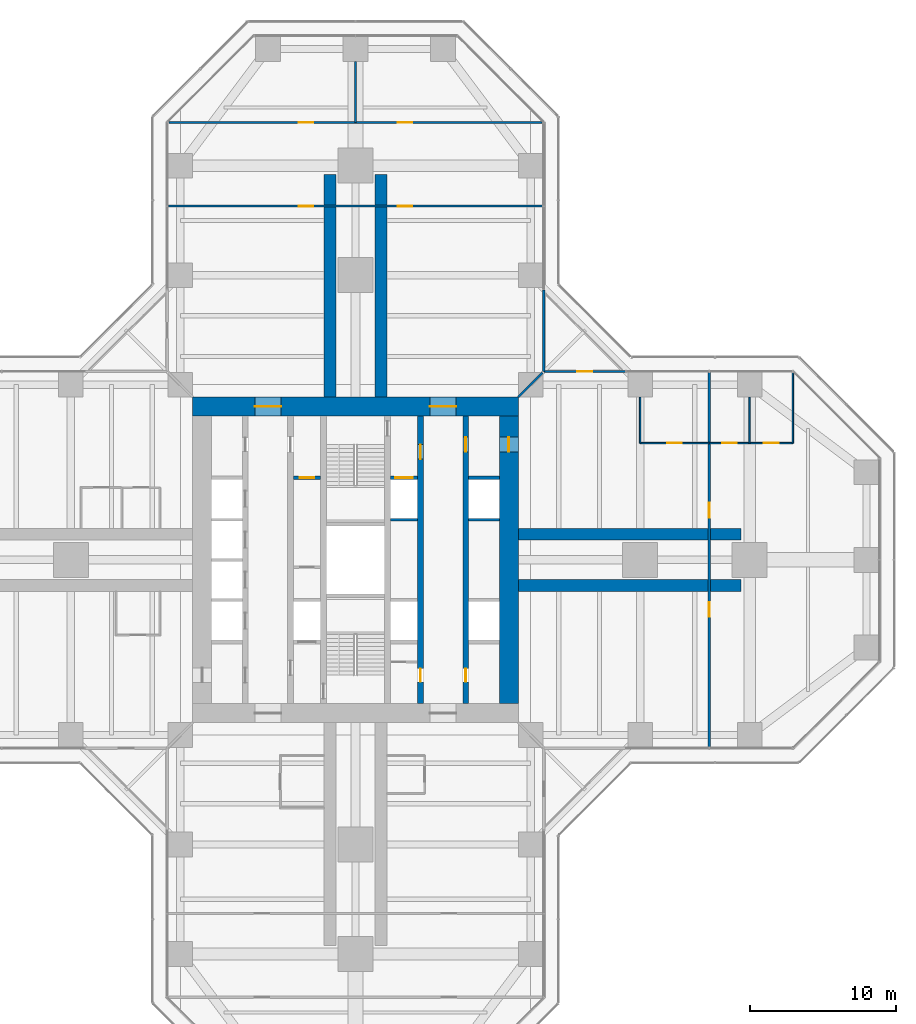
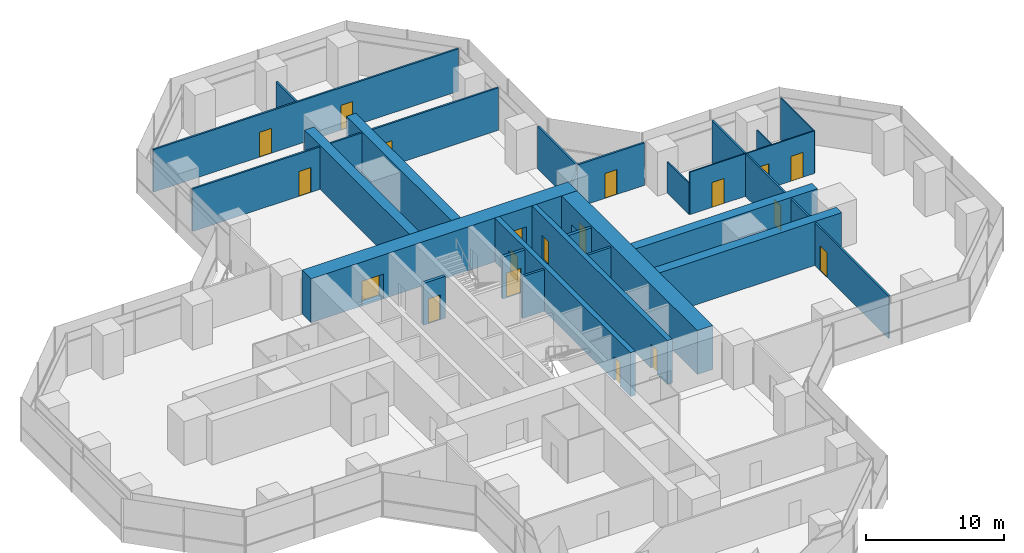
# One storey, part 19 of 22: 25 walls, 19 doors, 19 openings.
"""IFC4 building model written with IfcOpenShell, lengths in metres."""

from ifc_helpers import new_model, si_unit, direction, frame, frame_2d, origin, place, context, subcontext, project, spatial, rectangle, extrude, material, layer, layer_set, type_object, element, fill, save


model = new_model("IFC4")

# Units and contexts
model_context = context("Model", 3, precision=1e-05, world=origin(), true_north=direction((0.0, 1.0)))
body_context = subcontext(model_context, "Body", "Model", "MODEL_VIEW")
ifc_project = project(units=[si_unit("LENGTHUNIT", "METRE"), si_unit("AREAUNIT", "SQUARE_METRE"), si_unit("VOLUMEUNIT", "CUBIC_METRE"), si_unit("PLANEANGLEUNIT", "RADIAN"), si_unit("MASSUNIT", "GRAM", prefix="KILO")], contexts=[model_context])

# Site, building, storey
site_placement = place(None, origin())
site = spatial("IfcSite", under=ifc_project, at=site_placement, CompositionType="ELEMENT")
building_placement = place(site_placement, origin())
building = spatial("IfcBuilding", under=site, at=building_placement, Name="Mizan Broadcast Tower", CompositionType="ELEMENT")
storey_placement = place(building_placement, frame((0.0, 0.0, 94.199951171875)))
storey = spatial("IfcBuildingStorey", under=building, at=storey_placement, Name="L20", CompositionType="ELEMENT", Elevation=94.199951171875)

# Wall, openings, doors
ifc_material_1 = material(Name="Concrete C70/85", Category="concrete")
ifc_layer_1 = layer(ifc_material_1, 0.39990234375)
ifc_layer_set_1 = layer_set([ifc_layer_1], Name="Concrete C70/85")
wall_type_1 = type_object("IfcWallType", Name="CORE INTERNAL WALL 400", PredefinedType="SHEAR", material=ifc_layer_set_1)
wall_1_placement = place(storey_placement, frame((7.550048828125, 9.85009765625, 0.0), z_axis=(0.0, 0.0, 1.0), x_axis=(0.0, -1.0, 0.0)))
wall_1 = element("IfcWall", 1, at=wall_1_placement, inside=storey, type_object=wall_type_1, Name="Core wall CORE/XW1E", PredefinedType="SHEAR", context=body_context, shape_type="SweptSolid", body=[
    extrude(rectangle(XDim=19.7001953125, YDim=0.39990234375, at=frame_2d((9.85009765625, 0.0))), origin(), (0.0, 0.0, 1.0), 3.900146484375),
])
opening_1_placement = place(wall_1_placement, frame((1.449951171875, 0.0, 0.0)))
opening_1 = element("IfcOpeningElement", 2, at=opening_1_placement, cuts=wall_1, Name="Opening D10F", PredefinedType="OPENING", context=body_context, shape_type="SweptSolid", body=[
    extrude(rectangle(XDim=1.0, YDim=2.199951171875, at=frame_2d((0.5, 1.10009765625))), frame((0.0, 0.2099609375, 0.0), z_axis=(0.0, -1.0, 0.0), x_axis=(1.0, 0.0, 0.0)), (0.0, 0.0, 1.0), 0.419921875),
])
opening_2_placement = place(wall_1_placement, frame((17.300048828125, 0.0, 0.0)))
opening_2 = element("IfcOpeningElement", 3, at=opening_2_placement, cuts=wall_1, Name="Opening D09", PredefinedType="OPENING", context=body_context, shape_type="SweptSolid", body=[
    extrude(rectangle(XDim=0.89990234375, YDim=2.10009765625, at=frame_2d((0.449951171875, 1.050048828125))), frame((0.0, 0.2099609375, 0.0), z_axis=(0.0, -1.0, 0.0), x_axis=(1.0, 0.0, 0.0)), (0.0, 0.0, 1.0), 0.419921875),
])
ifc_material_2 = material(Name="Steel door leaf in steel frame", Category="steel")
door_type_1 = type_object("IfcDoorType", Name="FIRE DOOR 1000 FD90", OperationType="SINGLE_SWING_LEFT", PredefinedType="DOOR", material=ifc_material_2)
door_1_placement = place(opening_1_placement, origin())
door_1 = element("IfcDoor", 4, at=door_1_placement, inside=storey, type_object=door_type_1, Name="East core passage door", OperationType="SINGLE_SWING_LEFT", OverallHeight=2.199951171875, OverallWidth=1.0, PredefinedType="DOOR", context=body_context, shape_type="SweptSolid", body=[
    extrude(rectangle(XDim=1.0, YDim=2.199951171875, at=frame_2d((0.5, 1.10009765625))), frame((0.0, 0.02490234375, 0.0), z_axis=(0.0, -1.0, 0.0), x_axis=(1.0, 0.0, 0.0)), (0.0, 0.0, 1.0), 0.050048828125),
])
fill(opening_1, door_1)
ifc_material_3 = material(Name="Timber door leaf in aluminium frame", Category="wood")
door_type_2 = type_object("IfcDoorType", Name="TOILET DOOR 900", OperationType="SINGLE_SWING_LEFT", PredefinedType="DOOR", material=ifc_material_3)
door_2_placement = place(opening_2_placement, origin())
door_2 = element("IfcDoor", 5, at=door_2_placement, inside=storey, type_object=door_type_2, Name="Female WC door", OperationType="SINGLE_SWING_RIGHT", OverallHeight=2.10009765625, OverallWidth=0.89990234375, PredefinedType="DOOR", context=body_context, shape_type="SweptSolid", body=[
    extrude(rectangle(XDim=0.89990234375, YDim=2.10009765625, at=frame_2d((0.449951171875, 1.050048828125))), frame((0.0, 0.02490234375, 0.0), z_axis=(0.0, -1.0, 0.0), x_axis=(1.0, 0.0, 0.0)), (0.0, 0.0, 1.0), 0.050048828125),
])
fill(opening_2, door_2)

wall_2_placement = place(storey_placement, frame((4.449951171875, 9.85009765625, 0.0), z_axis=(0.0, 0.0, 1.0), x_axis=(0.0, -1.0, 0.0)))
wall_2 = element("IfcWall", 6, at=wall_2_placement, inside=storey, type_object=wall_type_1, Name="Core wall CORE/XWHE", PredefinedType="SHEAR", context=body_context, shape_type="SweptSolid", body=[
    extrude(rectangle(XDim=19.7001953125, YDim=0.39990234375, at=frame_2d((9.85009765625, 0.0))), origin(), (0.0, 0.0, 1.0), 3.900146484375),
])
opening_3_placement = place(wall_2_placement, frame((1.949951171875, 0.0, 0.0)))
opening_3 = element("IfcOpeningElement", 7, at=opening_3_placement, cuts=wall_2, Name="Opening D10F", PredefinedType="OPENING", context=body_context, shape_type="SweptSolid", body=[
    extrude(rectangle(XDim=1.0, YDim=2.199951171875, at=frame_2d((0.5, 1.10009765625))), frame((0.0, 0.2099609375, 0.0), z_axis=(0.0, -1.0, 0.0), x_axis=(1.0, 0.0, 0.0)), (0.0, 0.0, 1.0), 0.419921875),
])
opening_4_placement = place(wall_2_placement, frame((17.300048828125, 0.0, 0.0)))
opening_4 = element("IfcOpeningElement", 8, at=opening_4_placement, cuts=wall_2, Name="Opening D09", PredefinedType="OPENING", context=body_context, shape_type="SweptSolid", body=[
    extrude(rectangle(XDim=0.89990234375, YDim=2.10009765625, at=frame_2d((0.449951171875, 1.050048828125))), frame((0.0, 0.2099609375, 0.0), z_axis=(0.0, -1.0, 0.0), x_axis=(1.0, 0.0, 0.0)), (0.0, 0.0, 1.0), 0.419921875),
])
door_3_placement = place(opening_3_placement, origin())
door_3 = element("IfcDoor", 9, at=door_3_placement, inside=storey, type_object=door_type_1, Name="Firefighting lobby B door", OperationType="SINGLE_SWING_LEFT", OverallHeight=2.199951171875, OverallWidth=1.0, PredefinedType="DOOR", context=body_context, shape_type="SweptSolid", body=[
    extrude(rectangle(XDim=1.0, YDim=2.199951171875, at=frame_2d((0.5, 1.10009765625))), frame((0.0, 0.02490234375, 0.0), z_axis=(0.0, -1.0, 0.0), x_axis=(1.0, 0.0, 0.0)), (0.0, 0.0, 1.0), 0.050048828125),
])
fill(opening_3, door_3)
door_4_placement = place(opening_4_placement, origin())
door_4 = element("IfcDoor", 10, at=door_4_placement, inside=storey, type_object=door_type_2, Name="Cleaner's store door", OperationType="SINGLE_SWING_RIGHT", OverallHeight=2.10009765625, OverallWidth=0.89990234375, PredefinedType="DOOR", context=body_context, shape_type="SweptSolid", body=[
    extrude(rectangle(XDim=0.89990234375, YDim=2.10009765625, at=frame_2d((0.449951171875, 1.050048828125))), frame((0.0, 0.02490234375, 0.0), z_axis=(0.0, -1.0, 0.0), x_axis=(1.0, 0.0, 0.0)), (0.0, 0.0, 1.0), 0.050048828125),
])
fill(opening_4, door_4)

ifc_material_4 = material(Name="Concrete C70/85", Category="concrete")
ifc_layer_2 = layer(ifc_material_4, 1.300048828125)
ifc_layer_set_2 = layer_set([ifc_layer_2], Name="Concrete C70/85")
wall_type_2 = type_object("IfcWallType", Name="CORE WALL 1300", PredefinedType="SHEAR", material=ifc_layer_set_2)
wall_3_placement = place(storey_placement, frame((-11.14990234375, 10.5, 0.0), z_axis=(0.0, 0.0, 1.0), x_axis=(1.0, 0.0, 0.0)))
wall_3 = element("IfcWall", 11, at=wall_3_placement, inside=storey, type_object=wall_type_2, Name="Core wall N L20", PredefinedType="SHEAR", context=body_context, shape_type="SweptSolid", body=[
    extrude(rectangle(XDim=22.2998046875, YDim=1.300048828125, at=frame_2d((11.14990234375, 0.0))), origin(), (0.0, 0.0, 1.0), 3.900146484375),
])
opening_5_placement = place(wall_3_placement, frame((4.25, 0.0, 0.0)))
opening_5 = element("IfcOpeningElement", 12, at=opening_5_placement, cuts=wall_3, Name="Opening D18F", PredefinedType="OPENING", context=body_context, shape_type="SweptSolid", body=[
    extrude(rectangle(XDim=1.800048828125, YDim=2.199951171875, at=frame_2d((0.89990234375, 1.10009765625))), frame((0.0, 0.659912109375, 0.0), z_axis=(0.0, -1.0, 0.0), x_axis=(1.0, 0.0, 0.0)), (0.0, 0.0, 1.0), 1.320068359375),
])
opening_6_placement = place(wall_3_placement, frame((16.25, 0.0, 0.0)))
opening_6 = element("IfcOpeningElement", 13, at=opening_6_placement, cuts=wall_3, Name="Opening D18F", PredefinedType="OPENING", context=body_context, shape_type="SweptSolid", body=[
    extrude(rectangle(XDim=1.800048828125, YDim=2.199951171875, at=frame_2d((0.89990234375, 1.10009765625))), frame((0.0, 0.659912109375, 0.0), z_axis=(0.0, -1.0, 0.0), x_axis=(1.0, 0.0, 0.0)), (0.0, 0.0, 1.0), 1.320068359375),
])
ifc_material_5 = material(Name="Steel door leaf in steel frame", Category="steel")
door_type_3 = type_object("IfcDoorType", Name="LOBBY DOUBLE DOOR 1800 FD90", OperationType="DOUBLE_DOOR_DOUBLE_SWING", PredefinedType="DOOR", material=ifc_material_5)
door_5_placement = place(opening_5_placement, origin())
door_5 = element("IfcDoor", 14, at=door_5_placement, inside=storey, type_object=door_type_3, Name="West lift lobby north door", OperationType="DOUBLE_DOOR_DOUBLE_SWING", OverallHeight=2.199951171875, OverallWidth=1.800048828125, PredefinedType="DOOR", context=body_context, shape_type="SweptSolid", body=[
    extrude(rectangle(XDim=1.800048828125, YDim=2.199951171875, at=frame_2d((0.89990234375, 1.10009765625))), frame((0.0, 0.02490234375, 0.0), z_axis=(0.0, -1.0, 0.0), x_axis=(1.0, 0.0, 0.0)), (0.0, 0.0, 1.0), 0.050048828125),
])
fill(opening_5, door_5)
door_6_placement = place(opening_6_placement, origin())
door_6 = element("IfcDoor", 15, at=door_6_placement, inside=storey, type_object=door_type_3, Name="East lift lobby north door", OperationType="DOUBLE_DOOR_DOUBLE_SWING", OverallHeight=2.199951171875, OverallWidth=1.800048828125, PredefinedType="DOOR", context=body_context, shape_type="SweptSolid", body=[
    extrude(rectangle(XDim=1.800048828125, YDim=2.199951171875, at=frame_2d((0.89990234375, 1.10009765625))), frame((0.0, 0.02490234375, 0.0), z_axis=(0.0, -1.0, 0.0), x_axis=(1.0, 0.0, 0.0)), (0.0, 0.0, 1.0), 0.050048828125),
])
fill(opening_6, door_6)

# Wall, opening, door
wall_4_placement = place(storey_placement, frame((10.5, -9.85009765625, 0.0), z_axis=(0.0, 0.0, 1.0), x_axis=(0.0, 1.0, 0.0)))
wall_4 = element("IfcWall", 16, at=wall_4_placement, inside=storey, type_object=wall_type_2, Name="Core wall E L20", PredefinedType="SHEAR", context=body_context, shape_type="SweptSolid", body=[
    extrude(rectangle(XDim=19.7001953125, YDim=1.300048828125, at=frame_2d((9.85009765625, 0.0))), origin(), (0.0, 0.0, 1.0), 3.900146484375),
])
opening_7_placement = place(wall_4_placement, frame((17.25, 0.0, 0.0)))
opening_7 = element("IfcOpeningElement", 17, at=opening_7_placement, cuts=wall_4, Name="Opening D10F", PredefinedType="OPENING", context=body_context, shape_type="SweptSolid", body=[
    extrude(rectangle(XDim=1.0, YDim=2.199951171875, at=frame_2d((0.5, 1.10009765625))), frame((0.0, 0.659912109375, 0.0), z_axis=(0.0, -1.0, 0.0), x_axis=(1.0, 0.0, 0.0)), (0.0, 0.0, 1.0), 1.320068359375),
])
door_7_placement = place(opening_7_placement, origin())
door_7 = element("IfcDoor", 18, at=door_7_placement, inside=storey, type_object=door_type_1, Name="East core passage arm door", OperationType="SINGLE_SWING_RIGHT", OverallHeight=2.199951171875, OverallWidth=1.0, PredefinedType="DOOR", context=body_context, shape_type="SweptSolid", body=[
    extrude(rectangle(XDim=1.0, YDim=2.199951171875, at=frame_2d((0.5, 1.10009765625))), frame((0.0, 0.02490234375, 0.0), z_axis=(0.0, -1.0, 0.0), x_axis=(1.0, 0.0, 0.0)), (0.0, 0.0, 1.0), 0.050048828125),
])
fill(opening_7, door_7)

ifc_material_6 = material(Name="Aluminium framed glazed screen", Category="aluminium")
ifc_layer_3 = layer(ifc_material_6, 0.159912109375)
ifc_layer_set_3 = layer_set([ifc_layer_3], Name="Aluminium framed glazed screen")
wall_type_3 = type_object("IfcWallType", Name="GLAZED SCREEN WALL 160", PredefinedType="SOLIDWALL", material=ifc_layer_set_3)
wall_5_placement = place(storey_placement, frame((18.5, 12.89990234375, 0.0), z_axis=(0.0, 0.0, 1.0), x_axis=(-1.0, 0.0, 0.0)))
wall_5 = element("IfcWall", 19, at=wall_5_placement, inside=storey, type_object=wall_type_3, Name="Winter garden screen L20 E", PredefinedType="SOLIDWALL", context=body_context, shape_type="SweptSolid", body=[
    extrude(rectangle(XDim=5.60009765625, YDim=0.159912109375, at=frame_2d((2.800048828125, 0.0))), origin(), (0.0, 0.0, 1.0), 3.77001953125),
])
opening_8_placement = place(wall_5_placement, frame((2.300048828125, 0.0, 0.0)))
opening_8 = element("IfcOpeningElement", 20, at=opening_8_placement, cuts=wall_5, Name="Opening WGD", PredefinedType="OPENING", context=body_context, shape_type="SweptSolid", body=[
    extrude(rectangle(XDim=1.0, YDim=2.199951171875, at=frame_2d((0.5, 1.10009765625))), frame((0.0, 0.08984375, 0.0), z_axis=(0.0, -1.0, 0.0), x_axis=(1.0, 0.0, 0.0)), (0.0, 0.0, 1.0), 0.179931640625),
])
ifc_material_7 = material(Name="Aluminium framed glazed door", Category="aluminium")
door_type_4 = type_object("IfcDoorType", Name="WINTER GARDEN DOOR 1000 GLAZED", OperationType="SINGLE_SWING_LEFT", PredefinedType="DOOR", material=ifc_material_7)
door_8_placement = place(opening_8_placement, origin())
door_8 = element("IfcDoor", 21, at=door_8_placement, inside=storey, type_object=door_type_4, Name="Winter garden door L20 E", OperationType="SINGLE_SWING_RIGHT", OverallHeight=2.199951171875, OverallWidth=1.0, PredefinedType="DOOR", context=body_context, shape_type="SweptSolid", body=[
    extrude(rectangle(XDim=1.0, YDim=2.199951171875, at=frame_2d((0.5, 1.10009765625))), frame((0.0, 0.02490234375, 0.0), z_axis=(0.0, -1.0, 0.0), x_axis=(1.0, 0.0, 0.0)), (0.0, 0.0, 1.0), 0.050048828125),
])
fill(opening_8, door_8)

# Walls
wall_6_placement = place(storey_placement, frame((12.89990234375, 12.89990234375, 0.0), z_axis=(0.0, 0.0, 1.0), x_axis=(0.0, 1.0, 0.0)))
element("IfcWall", 22, at=wall_6_placement, inside=storey, type_object=wall_type_3, Name="Winter garden screen L20 N", PredefinedType="SOLIDWALL", context=body_context, shape_type="SweptSolid", body=[
    extrude(rectangle(XDim=5.60009765625, YDim=0.159912109375, at=frame_2d((2.800048828125, 0.0))), origin(), (0.0, 0.0, 1.0), 3.77001953125),
])
ifc_material_8 = material(Name="Concrete blockwork", Category="masonry")
ifc_layer_4 = layer(ifc_material_8, 0.199951171875)
ifc_layer_set_4 = layer_set([ifc_layer_4], Name="Concrete blockwork")
wall_type_4 = type_object("IfcWallType", Name="LIFT SHAFT WALL 200", PredefinedType="SOLIDWALL", material=ifc_layer_set_4)
wall_7_placement = place(storey_placement, frame((2.39990234375, 2.75, 0.0), z_axis=(0.0, 0.0, 1.0), x_axis=(1.0, 0.0, 0.0)))
element("IfcWall", 23, at=wall_7_placement, inside=storey, type_object=wall_type_4, Name="Lift shaft wall CORE/SE2-3", PredefinedType="SOLIDWALL", context=body_context, shape_type="SweptSolid", body=[
    extrude(rectangle(XDim=1.85009765625, YDim=0.199951171875, at=frame_2d((0.925048828125, 0.0))), origin(), (0.0, 0.0, 1.0), 3.699951171875),
])
wall_8_placement = place(storey_placement, frame((7.75, 2.75, 0.0), z_axis=(0.0, 0.0, 1.0), x_axis=(1.0, 0.0, 0.0)))
element("IfcWall", 24, at=wall_8_placement, inside=storey, type_object=wall_type_4, Name="Lift shaft wall CORE/SE1-3", PredefinedType="SOLIDWALL", context=body_context, shape_type="SweptSolid", body=[
    extrude(rectangle(XDim=2.10009765625, YDim=0.199951171875, at=frame_2d((1.050048828125, 0.0))), origin(), (0.0, 0.0, 1.0), 3.699951171875),
])

# Wall, opening, door
ifc_material_9 = material(Name="Concrete blockwork", Category="masonry")
ifc_layer_5 = layer(ifc_material_9, 0.25)
ifc_layer_set_5 = layer_set([ifc_layer_5], Name="Concrete blockwork")
wall_type_5 = type_object("IfcWallType", Name="LOBBY ENCLOSURE WALL 250", PredefinedType="SOLIDWALL", material=ifc_layer_set_5)
wall_9_placement = place(storey_placement, frame((-4.25, 5.625, 0.0), z_axis=(0.0, 0.0, 1.0), x_axis=(1.0, 0.0, 0.0)))
wall_9 = element("IfcWall", 25, at=wall_9_placement, inside=storey, type_object=wall_type_5, Name="Lobby enclosure wall CORE/BW2N", PredefinedType="SOLIDWALL", context=body_context, shape_type="SweptSolid", body=[
    extrude(rectangle(XDim=1.85009765625, YDim=0.25, at=frame_2d((0.925048828125, 0.0))), origin(), (0.0, 0.0, 1.0), 3.699951171875),
])
opening_9_placement = place(wall_9_placement, frame((0.425048828125, 0.0, 0.0)))
opening_9 = element("IfcOpeningElement", 26, at=opening_9_placement, cuts=wall_9, Name="Opening D10F", PredefinedType="OPENING", context=body_context, shape_type="SweptSolid", body=[
    extrude(rectangle(XDim=1.0, YDim=2.199951171875, at=frame_2d((0.5, 1.10009765625))), frame((0.0, 0.135009765625, 0.0), z_axis=(0.0, -1.0, 0.0), x_axis=(1.0, 0.0, 0.0)), (0.0, 0.0, 1.0), 0.27001953125),
])
door_9_placement = place(opening_9_placement, origin())
door_9 = element("IfcDoor", 27, at=door_9_placement, inside=storey, type_object=door_type_1, Name="Accessible shower room door", OperationType="SINGLE_SWING_RIGHT", OverallHeight=2.199951171875, OverallWidth=1.0, PredefinedType="DOOR", context=body_context, shape_type="SweptSolid", body=[
    extrude(rectangle(XDim=1.0, YDim=2.199951171875, at=frame_2d((0.5, 1.10009765625))), frame((0.0, 0.02490234375, 0.0), z_axis=(0.0, -1.0, 0.0), x_axis=(1.0, 0.0, 0.0)), (0.0, 0.0, 1.0), 0.050048828125),
])
fill(opening_9, door_9)

wall_10_placement = place(storey_placement, frame((2.39990234375, 5.625, 0.0), z_axis=(0.0, 0.0, 1.0), x_axis=(1.0, 0.0, 0.0)))
wall_10 = element("IfcWall", 28, at=wall_10_placement, inside=storey, type_object=wall_type_5, Name="Lobby enclosure wall CORE/BE2N", PredefinedType="SOLIDWALL", context=body_context, shape_type="SweptSolid", body=[
    extrude(rectangle(XDim=1.85009765625, YDim=0.25, at=frame_2d((0.925048828125, 0.0))), origin(), (0.0, 0.0, 1.0), 3.699951171875),
])
opening_10_placement = place(wall_10_placement, frame((0.324951171875, 0.0, 0.0)))
opening_10 = element("IfcOpeningElement", 29, at=opening_10_placement, cuts=wall_10, Name="Opening LDF", PredefinedType="OPENING", context=body_context, shape_type="SweptSolid", body=[
    extrude(rectangle(XDim=1.199951171875, YDim=2.199951171875, at=frame_2d((0.60009765625, 1.10009765625))), frame((0.0, 0.135009765625, 0.0), z_axis=(0.0, -1.0, 0.0), x_axis=(1.0, 0.0, 0.0)), (0.0, 0.0, 1.0), 0.27001953125),
])
ifc_material_10 = material(Name="Steel door leaf in steel frame", Category="steel")
door_type_5 = type_object("IfcDoorType", Name="FIREFIGHTING LIFT LANDING DOOR 1200", OperationType="SLIDING_TO_LEFT", PredefinedType="DOOR", material=ifc_material_10)
door_10_placement = place(opening_10_placement, origin())
door_10 = element("IfcDoor", 30, at=door_10_placement, inside=storey, type_object=door_type_5, Name="Landing door FF2", OperationType="SLIDING_TO_LEFT", OverallHeight=2.199951171875, OverallWidth=1.199951171875, PredefinedType="DOOR", context=body_context, shape_type="SweptSolid", body=[
    extrude(rectangle(XDim=1.199951171875, YDim=2.199951171875, at=frame_2d((0.60009765625, 1.10009765625))), frame((0.0, 0.02490234375, 0.0), z_axis=(0.0, -1.0, 0.0), x_axis=(1.0, 0.0, 0.0)), (0.0, 0.0, 1.0), 0.050048828125),
])
fill(opening_10, door_10)

# Wall
wall_11_placement = place(storey_placement, frame((7.75, 5.625, 0.0), z_axis=(0.0, 0.0, 1.0), x_axis=(1.0, 0.0, 0.0)))
element("IfcWall", 31, at=wall_11_placement, inside=storey, type_object=wall_type_5, Name="Lobby enclosure wall CORE/BE1N", PredefinedType="SOLIDWALL", context=body_context, shape_type="SweptSolid", body=[
    extrude(rectangle(XDim=2.10009765625, YDim=0.25, at=frame_2d((1.050048828125, 0.0))), origin(), (0.0, 0.0, 1.0), 3.699951171875),
])

# Wall, openings, doors
ifc_material_11 = material(Name="Gypsum board on steel studs", Category="steel")
ifc_layer_6 = layer(ifc_material_11, 0.14990234375)
ifc_layer_set_6 = layer_set([ifc_layer_6], Name="Gypsum board on steel studs")
wall_type_6 = type_object("IfcWallType", Name="PARTITION 150", PredefinedType="PARTITIONING", material=ifc_layer_set_6)
wall_12_placement = place(storey_placement, frame((24.22900390625, -12.820068359375, 0.0), z_axis=(0.0, 0.0, 1.0), x_axis=(0.0, 1.0, 0.0)))
wall_12 = element("IfcWall", 32, at=wall_12_placement, inside=storey, type_object=wall_type_6, Name="Partition PT/EX1", PredefinedType="PARTITIONING", context=body_context, shape_type="SweptSolid", body=[
    extrude(rectangle(XDim=25.64013671875, YDim=0.14990234375, at=frame_2d((12.820068359375, 0.0))), origin(), (0.0, 0.0, 1.0), 3.77001953125),
])
opening_11_placement = place(wall_12_placement, frame((15.719970703125, 0.0, 0.0)))
opening_11 = element("IfcOpeningElement", 33, at=opening_11_placement, cuts=wall_12, Name="Opening D10", PredefinedType="OPENING", context=body_context, shape_type="SweptSolid", body=[
    extrude(rectangle(XDim=1.0, YDim=2.199951171875, at=frame_2d((0.5, 1.10009765625))), frame((0.0, 0.0849609375, 0.0), z_axis=(0.0, -1.0, 0.0), x_axis=(1.0, 0.0, 0.0)), (0.0, 0.0, 1.0), 0.169921875),
])
opening_12_placement = place(wall_12_placement, frame((8.919921875, 0.0, 0.0)))
opening_12 = element("IfcOpeningElement", 34, at=opening_12_placement, cuts=wall_12, Name="Opening D10", PredefinedType="OPENING", context=body_context, shape_type="SweptSolid", body=[
    extrude(rectangle(XDim=1.0, YDim=2.199951171875, at=frame_2d((0.5, 1.10009765625))), frame((0.0, 0.0849609375, 0.0), z_axis=(0.0, -1.0, 0.0), x_axis=(1.0, 0.0, 0.0)), (0.0, 0.0, 1.0), 0.169921875),
])
ifc_material_12 = material(Name="Timber door leaf in aluminium frame", Category="wood")
door_type_6 = type_object("IfcDoorType", Name="ROOM DOOR 1000", OperationType="SINGLE_SWING_LEFT", PredefinedType="DOOR", material=ifc_material_12)
door_11_placement = place(opening_11_placement, origin())
door_11 = element("IfcDoor", 35, at=door_11_placement, inside=storey, type_object=door_type_6, Name="Open office door", OperationType="SINGLE_SWING_RIGHT", OverallHeight=2.199951171875, OverallWidth=1.0, PredefinedType="DOOR", context=body_context, shape_type="SweptSolid", body=[
    extrude(rectangle(XDim=1.0, YDim=2.199951171875, at=frame_2d((0.5, 1.10009765625))), frame((0.0, 0.02490234375, 0.0), z_axis=(0.0, -1.0, 0.0), x_axis=(1.0, 0.0, 0.0)), (0.0, 0.0, 1.0), 0.050048828125),
])
fill(opening_11, door_11)
door_12_placement = place(opening_12_placement, origin())
door_12 = element("IfcDoor", 36, at=door_12_placement, inside=storey, type_object=door_type_6, Name="Open office door", OperationType="SINGLE_SWING_LEFT", OverallHeight=2.199951171875, OverallWidth=1.0, PredefinedType="DOOR", context=body_context, shape_type="SweptSolid", body=[
    extrude(rectangle(XDim=1.0, YDim=2.199951171875, at=frame_2d((0.5, 1.10009765625))), frame((0.0, 0.02490234375, 0.0), z_axis=(0.0, -1.0, 0.0), x_axis=(1.0, 0.0, 0.0)), (0.0, 0.0, 1.0), 0.050048828125),
])
fill(opening_12, door_12)

wall_13_placement = place(storey_placement, frame((12.820068359375, 24.22900390625, 0.0), z_axis=(0.0, 0.0, 1.0), x_axis=(-1.0, 0.0, 0.0)))
wall_13 = element("IfcWall", 37, at=wall_13_placement, inside=storey, type_object=wall_type_6, Name="Partition PT/NX1", PredefinedType="PARTITIONING", context=body_context, shape_type="SweptSolid", body=[
    extrude(rectangle(XDim=25.64013671875, YDim=0.14990234375, at=frame_2d((12.820068359375, 0.0))), origin(), (0.0, 0.0, 1.0), 3.77001953125),
])
opening_13_placement = place(wall_13_placement, frame((15.719970703125, 0.0, 0.0)))
opening_13 = element("IfcOpeningElement", 38, at=opening_13_placement, cuts=wall_13, Name="Opening D10", PredefinedType="OPENING", context=body_context, shape_type="SweptSolid", body=[
    extrude(rectangle(XDim=1.0, YDim=2.199951171875, at=frame_2d((0.5, 1.10009765625))), frame((0.0, 0.0849609375, 0.0), z_axis=(0.0, -1.0, 0.0), x_axis=(1.0, 0.0, 0.0)), (0.0, 0.0, 1.0), 0.169921875),
])
opening_14_placement = place(wall_13_placement, frame((8.919921875, 0.0, 0.0)))
opening_14 = element("IfcOpeningElement", 39, at=opening_14_placement, cuts=wall_13, Name="Opening D10", PredefinedType="OPENING", context=body_context, shape_type="SweptSolid", body=[
    extrude(rectangle(XDim=1.0, YDim=2.199951171875, at=frame_2d((0.5, 1.10009765625))), frame((0.0, 0.0849609375, 0.0), z_axis=(0.0, -1.0, 0.0), x_axis=(1.0, 0.0, 0.0)), (0.0, 0.0, 1.0), 0.169921875),
])
door_13_placement = place(opening_13_placement, origin())
door_13 = element("IfcDoor", 40, at=door_13_placement, inside=storey, type_object=door_type_6, Name="Open office door", OperationType="SINGLE_SWING_RIGHT", OverallHeight=2.199951171875, OverallWidth=1.0, PredefinedType="DOOR", context=body_context, shape_type="SweptSolid", body=[
    extrude(rectangle(XDim=1.0, YDim=2.199951171875, at=frame_2d((0.5, 1.10009765625))), frame((0.0, 0.02490234375, 0.0), z_axis=(0.0, -1.0, 0.0), x_axis=(1.0, 0.0, 0.0)), (0.0, 0.0, 1.0), 0.050048828125),
])
fill(opening_13, door_13)
door_14_placement = place(opening_14_placement, origin())
door_14 = element("IfcDoor", 41, at=door_14_placement, inside=storey, type_object=door_type_6, Name="Open office door", OperationType="SINGLE_SWING_LEFT", OverallHeight=2.199951171875, OverallWidth=1.0, PredefinedType="DOOR", context=body_context, shape_type="SweptSolid", body=[
    extrude(rectangle(XDim=1.0, YDim=2.199951171875, at=frame_2d((0.5, 1.10009765625))), frame((0.0, 0.02490234375, 0.0), z_axis=(0.0, -1.0, 0.0), x_axis=(1.0, 0.0, 0.0)), (0.0, 0.0, 1.0), 0.050048828125),
])
fill(opening_14, door_14)

wall_14_placement = place(storey_placement, frame((12.786376953125, 29.958984375, 0.0), z_axis=(0.0, 0.0, 1.0), x_axis=(-1.0, 0.0, 0.0)))
wall_14 = element("IfcWall", 42, at=wall_14_placement, inside=storey, type_object=wall_type_6, Name="Partition PT/NX2", PredefinedType="PARTITIONING", context=body_context, shape_type="SweptSolid", body=[
    extrude(rectangle(XDim=25.57275390625, YDim=0.14990234375, at=frame_2d((12.786376953125, 0.0))), origin(), (0.0, 0.0, 1.0), 3.77001953125),
])
opening_15_placement = place(wall_14_placement, frame((15.6865234375, 0.0, 0.0)))
opening_15 = element("IfcOpeningElement", 43, at=opening_15_placement, cuts=wall_14, Name="Opening D10", PredefinedType="OPENING", context=body_context, shape_type="SweptSolid", body=[
    extrude(rectangle(XDim=1.0, YDim=2.199951171875, at=frame_2d((0.5, 1.10009765625))), frame((0.0, 0.0849609375, 0.0), z_axis=(0.0, -1.0, 0.0), x_axis=(1.0, 0.0, 0.0)), (0.0, 0.0, 1.0), 0.169921875),
])
opening_16_placement = place(wall_14_placement, frame((8.886474609375, 0.0, 0.0)))
opening_16 = element("IfcOpeningElement", 44, at=opening_16_placement, cuts=wall_14, Name="Opening D10", PredefinedType="OPENING", context=body_context, shape_type="SweptSolid", body=[
    extrude(rectangle(XDim=1.0, YDim=2.199951171875, at=frame_2d((0.5, 1.10009765625))), frame((0.0, 0.0849609375, 0.0), z_axis=(0.0, -1.0, 0.0), x_axis=(1.0, 0.0, 0.0)), (0.0, 0.0, 1.0), 0.169921875),
])
door_15_placement = place(opening_15_placement, origin())
door_15 = element("IfcDoor", 45, at=door_15_placement, inside=storey, type_object=door_type_6, Name="Open office door", OperationType="SINGLE_SWING_RIGHT", OverallHeight=2.199951171875, OverallWidth=1.0, PredefinedType="DOOR", context=body_context, shape_type="SweptSolid", body=[
    extrude(rectangle(XDim=1.0, YDim=2.199951171875, at=frame_2d((0.5, 1.10009765625))), frame((0.0, 0.02490234375, 0.0), z_axis=(0.0, -1.0, 0.0), x_axis=(1.0, 0.0, 0.0)), (0.0, 0.0, 1.0), 0.050048828125),
])
fill(opening_15, door_15)
door_16_placement = place(opening_16_placement, origin())
door_16 = element("IfcDoor", 46, at=door_16_placement, inside=storey, type_object=door_type_6, Name="Open office door", OperationType="SINGLE_SWING_LEFT", OverallHeight=2.199951171875, OverallWidth=1.0, PredefinedType="DOOR", context=body_context, shape_type="SweptSolid", body=[
    extrude(rectangle(XDim=1.0, YDim=2.199951171875, at=frame_2d((0.5, 1.10009765625))), frame((0.0, 0.02490234375, 0.0), z_axis=(0.0, -1.0, 0.0), x_axis=(1.0, 0.0, 0.0)), (0.0, 0.0, 1.0), 0.050048828125),
])
fill(opening_16, door_16)

# Walls
wall_15_placement = place(storey_placement, frame((0.0, 29.958984375, 0.0), z_axis=(0.0, 0.0, 1.0), x_axis=(0.0, 1.0, 0.0)))
element("IfcWall", 47, at=wall_15_placement, inside=storey, type_object=wall_type_6, Name="Partition PT/NES", PredefinedType="PARTITIONING", context=body_context, shape_type="SweptSolid", body=[
    extrude(rectangle(XDim=4.19091796875, YDim=0.14990234375, at=frame_2d((2.095458984375, 0.0))), origin(), (0.0, 0.0, 1.0), 2.77001953125),
])
wall_16_placement = place(storey_placement, frame((11.14990234375, 11.14990234375, 0.0), z_axis=(0.0, 0.0, 1.0), x_axis=(0.707106781187, 0.707106781187, 0.0)))
element("IfcWall", 48, at=wall_16_placement, inside=storey, type_object=wall_type_6, Name="Partition PT/DGEN", PredefinedType="PARTITIONING", context=body_context, shape_type="SweptSolid", body=[
    extrude(rectangle(XDim=2.362060546875, YDim=0.14990234375, at=frame_2d((1.18115234375, 0.0))), origin(), (0.0, 0.0, 1.0), 3.219970703125),
])

# Wall, opening, door
ifc_material_13 = material(Name="Glazed aluminium partition on aluminium track", Category="aluminium")
ifc_layer_7 = layer(ifc_material_13, 0.10009765625)
ifc_layer_set_7 = layer_set([ifc_layer_7], Name="Glazed aluminium partition on aluminium track")
wall_type_7 = type_object("IfcWallType", Name="PARTITION GLAZED OFFICE FRONT 100", PredefinedType="PARTITIONING", material=ifc_layer_set_7)
wall_17_placement = place(storey_placement, frame((19.5, 8.0, 0.0), z_axis=(0.0, 0.0, 1.0), x_axis=(1.0, 0.0, 0.0)))
wall_17 = element("IfcWall", 49, at=wall_17_placement, inside=storey, type_object=wall_type_7, Name="Glazed office front PT/ECP0", PredefinedType="PARTITIONING", context=body_context, shape_type="SweptSolid", body=[
    extrude(rectangle(XDim=4.72900390625, YDim=0.10009765625, at=frame_2d((2.364501953125, 0.0))), origin(), (0.0, 0.0, 1.0), 3.77001953125),
])
opening_17_placement = place(wall_17_placement, frame((1.864501953125, 0.0, 0.0)))
opening_17 = element("IfcOpeningElement", 50, at=opening_17_placement, cuts=wall_17, Name="Opening D10O", PredefinedType="OPENING", context=body_context, shape_type="SweptSolid", body=[
    extrude(rectangle(XDim=1.0, YDim=2.199951171875, at=frame_2d((0.5, 1.10009765625))), frame((0.0, 0.06005859375, 0.0), z_axis=(0.0, -1.0, 0.0), x_axis=(1.0, 0.0, 0.0)), (0.0, 0.0, 1.0), 0.1201171875),
])
ifc_material_14 = material(Name="Timber door leaf in aluminium frame", Category="wood")
door_type_7 = type_object("IfcDoorType", Name="OFFICE DOOR 1000 GLAZED", OperationType="SINGLE_SWING_LEFT", PredefinedType="DOOR", material=ifc_material_14)
door_17_placement = place(opening_17_placement, origin())
door_17 = element("IfcDoor", 51, at=door_17_placement, inside=storey, type_object=door_type_7, Name="Sales manager's office door", OperationType="SINGLE_SWING_LEFT", OverallHeight=2.199951171875, OverallWidth=1.0, PredefinedType="DOOR", context=body_context, shape_type="SweptSolid", body=[
    extrude(rectangle(XDim=1.0, YDim=2.199951171875, at=frame_2d((0.5, 1.10009765625))), frame((0.0, 0.02490234375, 0.0), z_axis=(0.0, -1.0, 0.0), x_axis=(1.0, 0.0, 0.0)), (0.0, 0.0, 1.0), 0.050048828125),
])
fill(opening_17, door_17)

# Wall, openings, doors
wall_18_placement = place(storey_placement, frame((24.22900390625, 8.0, 0.0), z_axis=(0.0, 0.0, 1.0), x_axis=(1.0, 0.0, 0.0)))
wall_18 = element("IfcWall", 52, at=wall_18_placement, inside=storey, type_object=wall_type_7, Name="Glazed office front PT/ECP1", PredefinedType="PARTITIONING", context=body_context, shape_type="SweptSolid", body=[
    extrude(rectangle(XDim=5.72998046875, YDim=0.10009765625, at=frame_2d((2.864990234375, 0.0))), origin(), (0.0, 0.0, 1.0), 3.77001953125),
])
opening_18_placement = place(wall_18_placement, frame((0.885498046875, 0.0, 0.0)))
opening_18 = element("IfcOpeningElement", 53, at=opening_18_placement, cuts=wall_18, Name="Opening D10O", PredefinedType="OPENING", context=body_context, shape_type="SweptSolid", body=[
    extrude(rectangle(XDim=1.0, YDim=2.199951171875, at=frame_2d((0.5, 1.10009765625))), frame((0.0, 0.06005859375, 0.0), z_axis=(0.0, -1.0, 0.0), x_axis=(1.0, 0.0, 0.0)), (0.0, 0.0, 1.0), 0.1201171875),
])
opening_19_placement = place(wall_18_placement, frame((3.75048828125, 0.0, 0.0)))
opening_19 = element("IfcOpeningElement", 54, at=opening_19_placement, cuts=wall_18, Name="Opening D10O", PredefinedType="OPENING", context=body_context, shape_type="SweptSolid", body=[
    extrude(rectangle(XDim=1.0, YDim=2.199951171875, at=frame_2d((0.5, 1.10009765625))), frame((0.0, 0.06005859375, 0.0), z_axis=(0.0, -1.0, 0.0), x_axis=(1.0, 0.0, 0.0)), (0.0, 0.0, 1.0), 0.1201171875),
])
door_18_placement = place(opening_18_placement, origin())
door_18 = element("IfcDoor", 55, at=door_18_placement, inside=storey, type_object=door_type_7, Name="Sales manager's office door", OperationType="SINGLE_SWING_LEFT", OverallHeight=2.199951171875, OverallWidth=1.0, PredefinedType="DOOR", context=body_context, shape_type="SweptSolid", body=[
    extrude(rectangle(XDim=1.0, YDim=2.199951171875, at=frame_2d((0.5, 1.10009765625))), frame((0.0, 0.02490234375, 0.0), z_axis=(0.0, -1.0, 0.0), x_axis=(1.0, 0.0, 0.0)), (0.0, 0.0, 1.0), 0.050048828125),
])
fill(opening_18, door_18)
door_19_placement = place(opening_19_placement, origin())
door_19 = element("IfcDoor", 56, at=door_19_placement, inside=storey, type_object=door_type_7, Name="Sales manager's office door", OperationType="SINGLE_SWING_RIGHT", OverallHeight=2.199951171875, OverallWidth=1.0, PredefinedType="DOOR", context=body_context, shape_type="SweptSolid", body=[
    extrude(rectangle(XDim=1.0, YDim=2.199951171875, at=frame_2d((0.5, 1.10009765625))), frame((0.0, 0.02490234375, 0.0), z_axis=(0.0, -1.0, 0.0), x_axis=(1.0, 0.0, 0.0)), (0.0, 0.0, 1.0), 0.050048828125),
])
fill(opening_19, door_19)

# Walls
wall_19_placement = place(storey_placement, frame((19.5, 8.0, 0.0), z_axis=(0.0, 0.0, 1.0), x_axis=(0.0, 1.0, 0.0)))
element("IfcWall", 57, at=wall_19_placement, inside=storey, type_object=wall_type_7, Name="Glazed office front PT/EQP1950", PredefinedType="PARTITIONING", context=body_context, shape_type="SweptSolid", body=[
    extrude(rectangle(XDim=3.14990234375, YDim=0.10009765625, at=frame_2d((1.574951171875, 0.0))), origin(), (0.0, 0.0, 1.0), 2.77001953125),
])
wall_20_placement = place(storey_placement, frame((27.0, 8.0, 0.0), z_axis=(0.0, 0.0, 1.0), x_axis=(0.0, 1.0, 0.0)))
element("IfcWall", 58, at=wall_20_placement, inside=storey, type_object=wall_type_7, Name="Glazed office front PT/EQP2700", PredefinedType="PARTITIONING", context=body_context, shape_type="SweptSolid", body=[
    extrude(rectangle(XDim=3.14990234375, YDim=0.10009765625, at=frame_2d((1.574951171875, 0.0))), origin(), (0.0, 0.0, 1.0), 2.969970703125),
])
wall_21_placement = place(storey_placement, frame((29.958984375, 8.0, 0.0), z_axis=(0.0, 0.0, 1.0), x_axis=(0.0, 1.0, 0.0)))
element("IfcWall", 59, at=wall_21_placement, inside=storey, type_object=wall_type_7, Name="Glazed office front PT/EQP2996", PredefinedType="PARTITIONING", context=body_context, shape_type="SweptSolid", body=[
    extrude(rectangle(XDim=4.820068359375, YDim=0.10009765625, at=frame_2d((2.41015625, 0.0))), origin(), (0.0, 0.0, 1.0), 3.77001953125),
])
ifc_material_15 = material(Name="Concrete C70/85", Category="concrete")
ifc_layer_8 = layer(ifc_material_15, 0.800048828125)
ifc_layer_set_8 = layer_set([ifc_layer_8], Name="Concrete C70/85")
wall_type_8 = type_object("IfcWallType", Name="SPINE WALL 800", PredefinedType="SHEAR", material=ifc_layer_set_8)
for number, where, z_axis, x_axis, name in (
    (60, (11.14990234375, -1.75, 0.0), (0.0, 0.0, 1.0), (1.0, 0.0, 0.0), "Spine wall ER L20"),
    (61, (11.14990234375, 1.75, 0.0), (0.0, 0.0, 1.0), (1.0, 0.0, 0.0), "Spine wall EL L20"),
    (62, (1.75, 11.14990234375, 0.0), (0.0, 0.0, 1.0), (0.0, 1.0, 0.0), "Spine wall NR L20"),
    (63, (-1.75, 11.14990234375, 0.0), (0.0, 0.0, 1.0), (0.0, 1.0, 0.0), "Spine wall NL L20"),
):
    element("IfcWall", number, at=place(storey_placement, frame(where, z_axis=z_axis, x_axis=x_axis)), inside=storey, type_object=wall_type_8, Name=name, PredefinedType="SHEAR", context=body_context, shape_type="SweptSolid", body=[
        extrude(rectangle(XDim=15.25, YDim=0.800048828125, at=frame_2d((7.625, 0.0))), origin(), (0.0, 0.0, 1.0), 3.900146484375),
    ])

save(model, "model.ifc")
